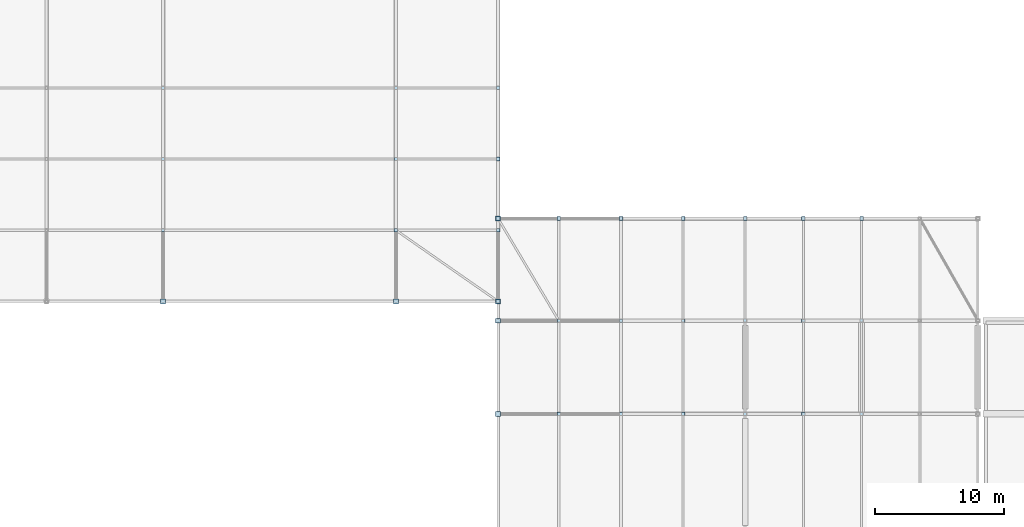
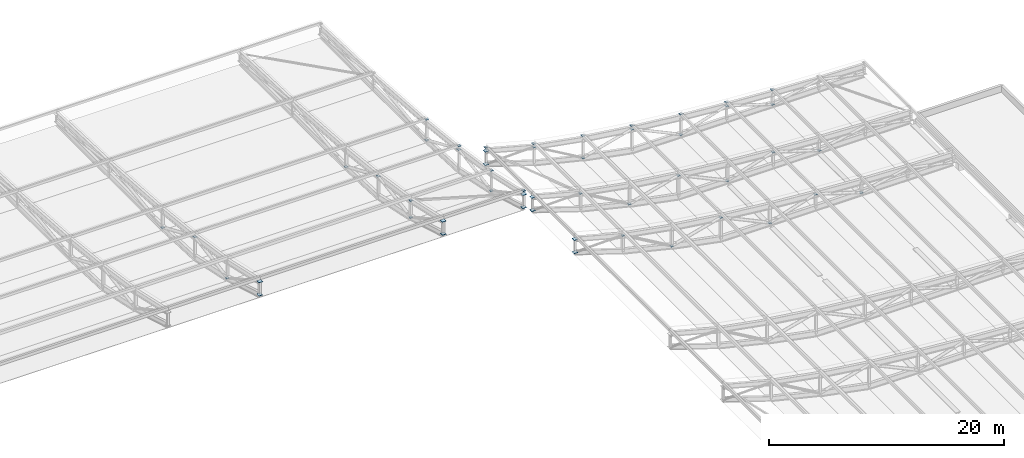
# One storey, part 99 of 114: 51 plates.
"""IFC4 building model written with IfcOpenShell, lengths in metres."""

from ifc_helpers import new_model, si_unit, direction, frame, origin, origin_2d, place, context, subcontext, project, spatial, rectangle, extrude, material, layer, layer_set, type_object, element, save


model = new_model("IFC4")

# Units and contexts
model_context = context("Model", 3, precision=1e-05, world=origin(), true_north=direction((0.0, 1.0)))
body_context = subcontext(model_context, "Body", "Model", "MODEL_VIEW")
ifc_project = project(units=[si_unit("LENGTHUNIT", "METRE"), si_unit("AREAUNIT", "SQUARE_METRE"), si_unit("VOLUMEUNIT", "CUBIC_METRE"), si_unit("PLANEANGLEUNIT", "RADIAN"), si_unit("MASSUNIT", "GRAM", prefix="KILO"), si_unit("THERMODYNAMICTEMPERATUREUNIT", "KELVIN"), si_unit("POWERUNIT", "WATT")], contexts=[model_context])

# Site, building, storey
site_placement = place(None, origin())
site = spatial("IfcSite", under=ifc_project, at=site_placement, CompositionType="ELEMENT")
building_placement = place(site_placement, origin())
building = spatial("IfcBuilding", under=site, at=building_placement, Name="Sindhuravela Promenade Stadium", CompositionType="ELEMENT")
storey_placement = place(building_placement, frame((0.0, 0.0, 24.0)))
storey = spatial("IfcBuildingStorey", under=building, at=storey_placement, Name="L05", CompositionType="ELEMENT", Elevation=24.0)

# Plates
ifc_material = material(Name="Steel E350 (IS 2062 E350BR)", Category="steel")
ifc_layer_1 = layer(ifc_material, 0.02392578125)
ifc_layer_set_1 = layer_set([ifc_layer_1], Name="Steel E350 (IS 2062 E350BR)")
plate_type_1 = type_object("IfcPlateType", Name="ST-PL-CAP24", PredefinedType="USERDEFINED", material=ifc_layer_set_1)
for number, where, z_axis, x_axis, name in (
    (1, (189.0, 124.89990234375, 1.509033203125), (0.0, 0.0, 1.0), (1.0, 0.0, 0.0), "Purlin end cap plate CP01 E-52"),
    (2, (184.5, 124.89990234375, 1.781494140625), (0.0, 0.0, 1.0), (1.0, 0.0, 0.0), "Purlin end cap plate CP01 E-53"),
    (3, (180.0, 124.89990234375, 2.137939453125), (0.0, 0.0, 1.0), (1.0, 0.0, 0.0), "Purlin end cap plate CP01 E-54"),
    (4, (175.199951171875, 124.89990234375, 2.62939453125), (0.0, 0.0, 1.0), (1.0, 0.0, 0.0), "Purlin end cap plate CP01 E-55"),
    (5, (170.39990234375, 124.89990234375, 3.244873046875), (0.0, 0.0, 1.0), (1.0, 0.0, 0.0), "Purlin end cap plate CP01 E-56"),
    (6, (165.60009765625, 124.89990234375, 4.10595703125), (0.0, 0.0, 1.0), (1.0, 0.0, 0.0), "Purlin end cap plate CP01 E-57"),
    (7, (160.89990234375, 124.89990234375, 5.35498046875), (0.0, 0.0, 1.0), (1.0, 0.0, 0.0), "Purlin end cap plate CP01 E-58"),
    (8, (165.60009765625, 117.0, 3.73876953125), (0.0, 0.0, 1.0), (1.0, 0.0, 0.0), "Brace end cap plate CP01 E-60"),
    (9, (160.89990234375, 135.0, 2.143310546875), (0.0, 0.0, 1.0), (1.0, 0.0, 0.0), "Purlin end cap plate CP01 N-49"),
    (10, (160.89990234375, 129.5, 2.732421875), (0.0, 0.0, 1.0), (1.0, 0.0, 0.0), "Purlin end cap plate CP01 N-50"),
    (11, (160.89990234375, 124.0, 3.524169921875), (0.0, 0.0, 1.0), (1.0, 0.0, 0.0), "Purlin end cap plate CP01 N-51"),
    (12, (160.89990234375, 118.5, 4.755126953125), (0.0, 0.0, 1.0), (1.0, 0.0, 0.0), "Purlin end cap plate CP01 N-52"),
    (13, (153.0, 124.0, 3.1572265625), (0.0, 0.0, 1.0), (1.0, 0.0, 0.0), "Brace end cap plate CP01 N-54"),
):
    element("IfcPlate", number, at=place(storey_placement, frame(where, z_axis=z_axis, x_axis=x_axis)), inside=storey, type_object=plate_type_1, Name=name, ObjectType="GUSSET PLATE", PredefinedType="USERDEFINED", context=body_context, shape_type="SweptSolid", body=[
        extrude(rectangle(XDim=0.280029296875, YDim=0.280029296875, at=origin_2d()), origin(), (0.0, 0.0, 1.0), 0.02392578125),
    ])
for number, where, z_axis, x_axis, name in (
    (14, (189.0, 109.800048828125, -0.011962890625), (0.0, 0.0, 1.0), (1.0, 0.0, 0.0), "Brace end gusset plate CP01 BR-0109B"),
    (15, (184.5, 109.800048828125, 1.389404296875), (0.0, 0.0, 1.0), (1.0, 0.0, 0.0), "Brace end gusset plate CP01 BR-0110B"),
    (16, (180.0, 109.800048828125, -0.011962890625), (0.0, 0.0, 1.0), (1.0, 0.0, 0.0), "Brace end gusset plate CP01 BR-0111B"),
    (17, (175.199951171875, 109.800048828125, 2.237548828125), (0.0, 0.0, 1.0), (1.0, 0.0, 0.0), "Brace end gusset plate CP01 BR-0112B"),
    (18, (170.39990234375, 109.800048828125, 0.943359375), (0.0, 0.0, 1.0), (1.0, 0.0, 0.0), "Brace end gusset plate CP01 BR-0113B"),
    (19, (165.60009765625, 109.800048828125, 3.73876953125), (0.0, 0.0, 1.0), (1.0, 0.0, 0.0), "Brace end gusset plate CP01 BR-0114B"),
    (20, (189.0, 117.0, -0.011962890625), (0.0, 0.0, 1.0), (1.0, 0.0, 0.0), "Brace end gusset plate CP01 BR-0116B"),
    (21, (184.5, 117.0, 1.389404296875), (0.0, 0.0, 1.0), (1.0, 0.0, 0.0), "Brace end gusset plate CP01 BR-0117B"),
    (22, (180.0, 117.0, -0.011962890625), (0.0, 0.0, 1.0), (1.0, 0.0, 0.0), "Brace end gusset plate CP01 BR-0118B"),
    (23, (175.199951171875, 117.0, 2.237548828125), (0.0, 0.0, 1.0), (1.0, 0.0, 0.0), "Brace end gusset plate CP01 BR-0119B"),
    (24, (170.39990234375, 117.0, 0.943359375), (0.0, 0.0, 1.0), (1.0, 0.0, 0.0), "Brace end gusset plate CP01 BR-0120B"),
    (25, (189.0, 124.89990234375, -0.011962890625), (0.0, 0.0, 1.0), (1.0, 0.0, 0.0), "Brace end gusset plate CP01 BR-0121B"),
    (26, (184.5, 124.89990234375, 1.389404296875), (0.0, 0.0, 1.0), (1.0, 0.0, 0.0), "Brace end gusset plate CP01 BR-0122B"),
    (27, (180.0, 124.89990234375, -0.011962890625), (0.0, 0.0, 1.0), (1.0, 0.0, 0.0), "Brace end gusset plate CP01 BR-0123B"),
    (28, (175.199951171875, 124.89990234375, 2.237548828125), (0.0, 0.0, 1.0), (1.0, 0.0, 0.0), "Brace end gusset plate CP01 BR-0124B"),
    (29, (170.39990234375, 124.89990234375, 0.943359375), (0.0, 0.0, 1.0), (1.0, 0.0, 0.0), "Brace end gusset plate CP01 BR-0125B"),
    (30, (165.60009765625, 124.89990234375, 3.73876953125), (0.0, 0.0, 1.0), (1.0, 0.0, 0.0), "Brace end gusset plate CP01 BR-0126B"),
    (31, (135.0, 135.0, -0.011962890625), (0.0, 0.0, 1.0), (1.0, 0.0, 0.0), "Brace end gusset plate CP01 BR-0183B"),
    (32, (135.0, 129.5, 2.340576171875), (0.0, 0.0, 1.0), (1.0, 0.0, 0.0), "Brace end gusset plate CP01 BR-0184B"),
    (33, (135.0, 124.0, 1.4072265625), (0.0, 0.0, 1.0), (1.0, 0.0, 0.0), "Brace end gusset plate CP01 BR-0185B"),
    (34, (153.0, 135.0, -0.011962890625), (0.0, 0.0, 1.0), (1.0, 0.0, 0.0), "Brace end gusset plate CP01 BR-0187B"),
    (35, (153.0, 129.5, 2.340576171875), (0.0, 0.0, 1.0), (1.0, 0.0, 0.0), "Brace end gusset plate CP01 BR-0188B"),
    (36, (153.0, 124.0, 1.4072265625), (0.0, 0.0, 1.0), (1.0, 0.0, 0.0), "Brace end gusset plate CP01 BR-0189B"),
    (37, (160.89990234375, 135.0, -0.011962890625), (0.0, 0.0, 1.0), (1.0, 0.0, 0.0), "Brace end gusset plate CP01 BR-0190B"),
    (38, (160.89990234375, 129.5, 2.340576171875), (0.0, 0.0, 1.0), (1.0, 0.0, 0.0), "Brace end gusset plate CP01 BR-0191B"),
    (39, (160.89990234375, 124.0, 1.4072265625), (0.0, 0.0, 1.0), (1.0, 0.0, 0.0), "Brace end gusset plate CP01 BR-0192B"),
):
    element("IfcPlate", number, at=place(storey_placement, frame(where, z_axis=z_axis, x_axis=x_axis)), inside=storey, type_object=plate_type_1, Name=name, ObjectType="GUSSET PLATE", PredefinedType="USERDEFINED", context=body_context, shape_type="SweptSolid", body=[
        extrude(rectangle(XDim=0.260009765625, YDim=0.260009765625, at=origin_2d()), origin(), (0.0, 0.0, 1.0), 0.02392578125),
    ])
ifc_layer_2 = layer(ifc_material, 0.033935546875)
ifc_layer_set_2 = layer_set([ifc_layer_2], Name="Steel E350 (IS 2062 E350BR)")
plate_type_2 = type_object("IfcPlateType", Name="ST-PL-CAP34", PredefinedType="USERDEFINED", material=ifc_layer_set_2)
for number, where, z_axis, x_axis, name in (
    (40, (160.89990234375, 109.800048828125, 4.98291015625), (0.0, 0.0, 1.0), (1.0, 0.0, 0.0), "Truss end gusset cap plate CP02 E07-9T"),
    (41, (160.89990234375, 109.800048828125, 3.60791015625), (0.0, 0.0, 1.0), (1.0, 0.0, 0.0), "Truss end gusset cap plate CP02 E07-9B"),
    (42, (160.89990234375, 117.0, 4.98291015625), (0.0, 0.0, 1.0), (1.0, 0.0, 0.0), "Truss end gusset cap plate CP02 E08-9T"),
    (43, (160.89990234375, 117.0, 3.60791015625), (0.0, 0.0, 1.0), (1.0, 0.0, 0.0), "Truss end gusset cap plate CP02 E08-9B"),
    (44, (160.89990234375, 124.89990234375, 4.98291015625), (0.0, 0.0, 1.0), (1.0, 0.0, 0.0), "Truss end gusset cap plate CP02 E09-9T"),
    (45, (160.89990234375, 124.89990234375, 3.60791015625), (0.0, 0.0, 1.0), (1.0, 0.0, 0.0), "Truss end gusset cap plate CP02 E09-9B"),
    (46, (135.0, 118.5, 4.3828125), (0.0, 0.0, 1.0), (1.0, 0.0, 0.0), "Truss end gusset cap plate CP02 N07-6T"),
    (47, (135.0, 118.5, 3.0078125), (0.0, 0.0, 1.0), (1.0, 0.0, 0.0), "Truss end gusset cap plate CP02 N07-6B"),
    (48, (153.0, 118.5, 4.3828125), (0.0, 0.0, 1.0), (1.0, 0.0, 0.0), "Truss end gusset cap plate CP02 N08-6T"),
    (49, (153.0, 118.5, 3.0078125), (0.0, 0.0, 1.0), (1.0, 0.0, 0.0), "Truss end gusset cap plate CP02 N08-6B"),
    (50, (160.89990234375, 118.5, 4.3828125), (0.0, 0.0, 1.0), (1.0, 0.0, 0.0), "Truss end gusset cap plate CP02 N09-6T"),
    (51, (160.89990234375, 118.5, 3.0078125), (0.0, 0.0, 1.0), (1.0, 0.0, 0.0), "Truss end gusset cap plate CP02 N09-6B"),
):
    element("IfcPlate", number, at=place(storey_placement, frame(where, z_axis=z_axis, x_axis=x_axis)), inside=storey, type_object=plate_type_2, Name=name, ObjectType="GUSSET PLATE", PredefinedType="USERDEFINED", context=body_context, shape_type="SweptSolid", body=[
        extrude(rectangle(XDim=0.3798828125, YDim=0.3798828125, at=origin_2d()), origin(), (0.0, 0.0, 1.0), 0.033935546875),
    ])

save(model, "model.ifc")
